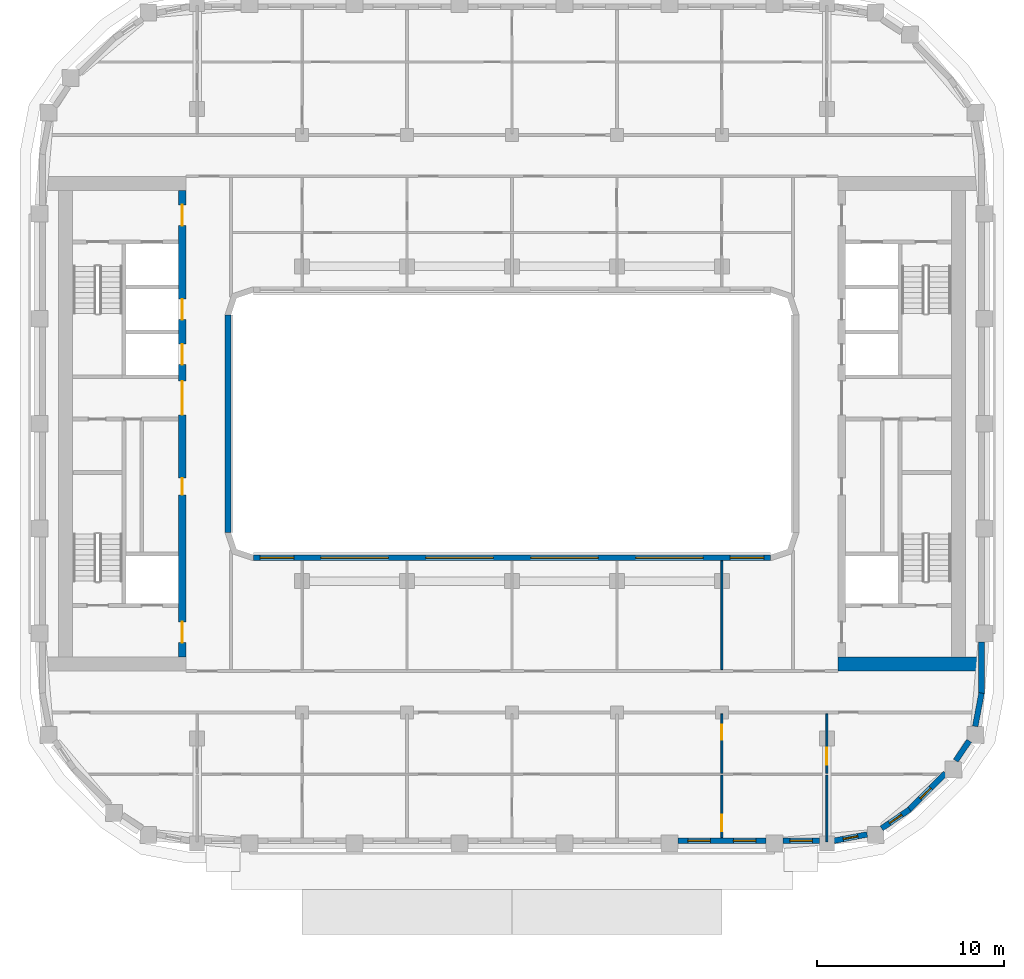
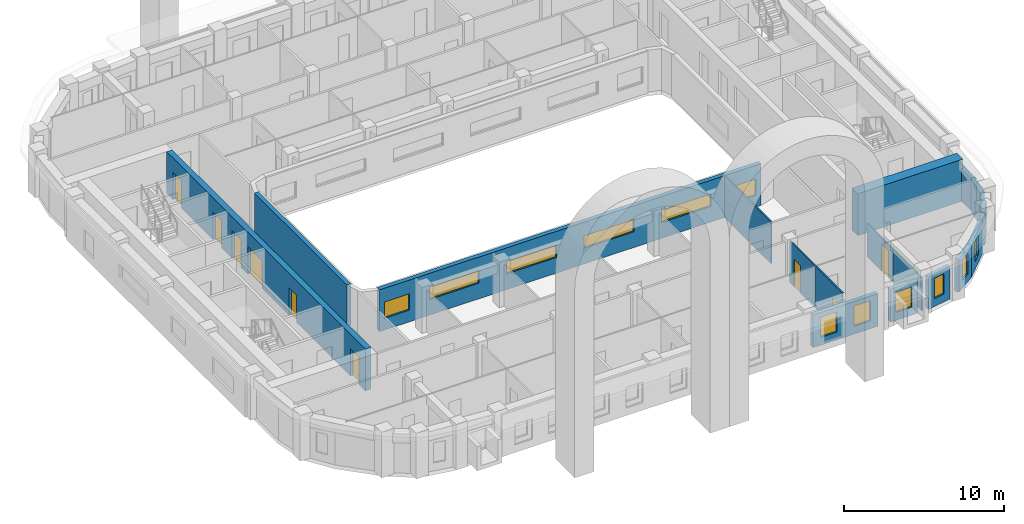
# One storey, part 4 of 18: 17 walls, 12 windows, 9 doors, 21 openings.
"""IFC4 building model written with IfcOpenShell, lengths in metres."""

from ifc_helpers import new_model, si_unit, direction, frame, frame_2d, origin, place, context, subcontext, project, spatial, rectangle, extrude, material, layer, layer_set, type_object, element, fill, save


model = new_model("IFC4")

# Units and contexts
model_context = context("Model", 3, precision=1e-05, world=origin(), true_north=direction((0.0, 1.0)))
body_context = subcontext(model_context, "Body", "Model", "MODEL_VIEW")
ifc_project = project(units=[si_unit("LENGTHUNIT", "METRE"), si_unit("AREAUNIT", "SQUARE_METRE"), si_unit("VOLUMEUNIT", "CUBIC_METRE"), si_unit("PLANEANGLEUNIT", "RADIAN"), si_unit("MASSUNIT", "GRAM", prefix="KILO")], contexts=[model_context])

# Site, building, storey
site_placement = place(None, origin())
site = spatial("IfcSite", under=ifc_project, at=site_placement, CompositionType="ELEMENT")
building_placement = place(site_placement, origin())
building = spatial("IfcBuilding", under=site, at=building_placement, Name="Kiln Ring Residences", CompositionType="ELEMENT")
storey_placement = place(building_placement, frame((0.0, 0.0, 209.89990234375)))
storey = spatial("IfcBuildingStorey", under=building, at=storey_placement, Name="L54", CompositionType="ELEMENT", Elevation=209.89990234375)

# Wall, openings, doors
ifc_material_1 = material(Name="Concrete C60/75", Category="concrete")
ifc_layer_1 = layer(ifc_material_1, 0.39990234375)
ifc_layer_set_1 = layer_set([ifc_layer_1], Name="CORE-WALL-RC400")
wall_type_1 = type_object("IfcWallType", Name="CORE-WALL-RC400", PredefinedType="SHEAR", material=ifc_layer_set_1)
wall_1_placement = place(storey_placement, frame((-17.60009765625, -12.449951171875, 0.0), z_axis=(0.0, 0.0, 1.0), x_axis=(0.0, 1.0, 0.0)))
wall_1 = element("IfcWall", 1, at=wall_1_placement, inside=storey, type_object=wall_type_1, Name="Core wall west L54 6", PredefinedType="SHEAR", context=body_context, shape_type="SweptSolid", body=[
    extrude(rectangle(XDim=24.89990234375, YDim=0.39990234375, at=frame_2d((12.449951171875, 0.0))), origin(), (0.0, 0.0, 1.0), 3.2001953125),
])
opening_1_placement = place(wall_1_placement, frame((8.64990234375, 0.0, 0.0)))
opening_1 = element("IfcOpeningElement", 2, at=opening_1_placement, cuts=wall_1, Name="Opening L54-CW02", PredefinedType="OPENING", context=body_context, shape_type="SweptSolid", body=[
    extrude(rectangle(XDim=0.89990234375, YDim=2.10009765625, at=frame_2d((0.449951171875, 1.050048828125))), frame((0.0, 0.2099609375, 0.0), z_axis=(0.0, -1.0, 0.0), x_axis=(1.0, 0.0, 0.0)), (0.0, 0.0, 1.0), 0.419921875),
])
opening_2_placement = place(wall_1_placement, frame((15.60009765625, 0.0, 0.0)))
opening_2 = element("IfcOpeningElement", 3, at=opening_2_placement, cuts=wall_1, Name="Opening L54-CW04", PredefinedType="OPENING", context=body_context, shape_type="SweptSolid", body=[
    extrude(rectangle(XDim=1.10009765625, YDim=2.10009765625, at=frame_2d((0.550048828125, 1.050048828125))), frame((0.0, 0.2099609375, 0.0), z_axis=(0.0, -1.0, 0.0), x_axis=(1.0, 0.0, 0.0)), (0.0, 0.0, 1.0), 0.419921875),
])
opening_3_placement = place(wall_1_placement, frame((18.0, 0.0, 0.0)))
opening_3 = element("IfcOpeningElement", 4, at=opening_3_placement, cuts=wall_1, Name="Opening L54-CW05", PredefinedType="OPENING", context=body_context, shape_type="SweptSolid", body=[
    extrude(rectangle(XDim=1.10009765625, YDim=2.10009765625, at=frame_2d((0.550048828125, 1.050048828125))), frame((0.0, 0.2099609375, 0.0), z_axis=(0.0, -1.0, 0.0), x_axis=(1.0, 0.0, 0.0)), (0.0, 0.0, 1.0), 0.419921875),
])
opening_4_placement = place(wall_1_placement, frame((23.02490234375, 0.0, 0.0)))
opening_4 = element("IfcOpeningElement", 5, at=opening_4_placement, cuts=wall_1, Name="Opening L54-CW07", PredefinedType="OPENING", context=body_context, shape_type="SweptSolid", body=[
    extrude(rectangle(XDim=1.10009765625, YDim=2.10009765625, at=frame_2d((0.550048828125, 1.050048828125))), frame((0.0, 0.2099609375, 0.0), z_axis=(0.0, -1.0, 0.0), x_axis=(1.0, 0.0, 0.0)), (0.0, 0.0, 1.0), 0.419921875),
])
opening_5_placement = place(wall_1_placement, frame((0.77490234375, 0.0, 0.0)))
opening_5 = element("IfcOpeningElement", 6, at=opening_5_placement, cuts=wall_1, Name="Opening L54-CW08", PredefinedType="OPENING", context=body_context, shape_type="SweptSolid", body=[
    extrude(rectangle(XDim=1.10009765625, YDim=2.10009765625, at=frame_2d((0.550048828125, 1.050048828125))), frame((0.0, 0.2099609375, 0.0), z_axis=(0.0, -1.0, 0.0), x_axis=(1.0, 0.0, 0.0)), (0.0, 0.0, 1.0), 0.419921875),
])
opening_6_placement = place(wall_1_placement, frame((12.925048828125, 0.0, 0.0)))
opening_6 = element("IfcOpeningElement", 7, at=opening_6_placement, cuts=wall_1, Name="Opening L54-CW11", PredefinedType="OPENING", context=body_context, shape_type="SweptSolid", body=[
    extrude(rectangle(XDim=1.800048828125, YDim=2.10009765625, at=frame_2d((0.89990234375, 1.050048828125))), frame((0.0, 0.2099609375, 0.0), z_axis=(0.0, -1.0, 0.0), x_axis=(1.0, 0.0, 0.0)), (0.0, 0.0, 1.0), 0.419921875),
])
ifc_material_2 = material(Name="Steel door leaf", Category="steel")
door_type_1 = type_object("IfcDoorType", Name="CORE-DOOR-LD", OperationType="DOUBLE_DOOR_SLIDING", PredefinedType="DOOR", material=ifc_material_2)
door_1_placement = place(opening_2_placement, origin())
door_1 = element("IfcDoor", 8, at=door_1_placement, inside=storey, type_object=door_type_1, Name="LD W-M1 L54-CW04", OperationType="DOUBLE_DOOR_SLIDING", OverallHeight=2.10009765625, OverallWidth=1.10009765625, PredefinedType="DOOR", context=body_context, shape_type="SweptSolid", body=[
    extrude(rectangle(XDim=1.10009765625, YDim=2.10009765625, at=frame_2d((0.550048828125, 1.050048828125))), frame((0.0, 0.02490234375, 0.0), z_axis=(0.0, -1.0, 0.0), x_axis=(1.0, 0.0, 0.0)), (0.0, 0.0, 1.0), 0.050048828125),
])
fill(opening_2, door_1)
door_2_placement = place(opening_3_placement, origin())
door_2 = element("IfcDoor", 9, at=door_2_placement, inside=storey, type_object=door_type_1, Name="LD W-M2 L54-CW05", OperationType="DOUBLE_DOOR_SLIDING", OverallHeight=2.10009765625, OverallWidth=1.10009765625, PredefinedType="DOOR", context=body_context, shape_type="SweptSolid", body=[
    extrude(rectangle(XDim=1.10009765625, YDim=2.10009765625, at=frame_2d((0.550048828125, 1.050048828125))), frame((0.0, 0.02490234375, 0.0), z_axis=(0.0, -1.0, 0.0), x_axis=(1.0, 0.0, 0.0)), (0.0, 0.0, 1.0), 0.050048828125),
])
fill(opening_3, door_2)
ifc_material_3 = material(Name="Steel door leaf", Category="steel")
door_type_2 = type_object("IfcDoorType", Name="CORE-DOOR-LOBBY", OperationType="SINGLE_SWING_LEFT", PredefinedType="DOOR", material=ifc_material_3)
door_3_placement = place(opening_4_placement, origin())
door_3 = element("IfcDoor", 10, at=door_3_placement, inside=storey, type_object=door_type_2, Name="FFL L54-CW07", OperationType="SINGLE_SWING_RIGHT", OverallHeight=2.10009765625, OverallWidth=1.10009765625, PredefinedType="DOOR", context=body_context, shape_type="SweptSolid", body=[
    extrude(rectangle(XDim=1.10009765625, YDim=2.10009765625, at=frame_2d((0.550048828125, 1.050048828125))), frame((0.0, 0.02490234375, 0.0), z_axis=(0.0, -1.0, 0.0), x_axis=(1.0, 0.0, 0.0)), (0.0, 0.0, 1.0), 0.050048828125),
])
fill(opening_4, door_3)
door_4_placement = place(opening_5_placement, origin())
door_4 = element("IfcDoor", 11, at=door_4_placement, inside=storey, type_object=door_type_2, Name="SVL L54-CW08", OperationType="SINGLE_SWING_LEFT", OverallHeight=2.10009765625, OverallWidth=1.10009765625, PredefinedType="DOOR", context=body_context, shape_type="SweptSolid", body=[
    extrude(rectangle(XDim=1.10009765625, YDim=2.10009765625, at=frame_2d((0.550048828125, 1.050048828125))), frame((0.0, 0.02490234375, 0.0), z_axis=(0.0, -1.0, 0.0), x_axis=(1.0, 0.0, 0.0)), (0.0, 0.0, 1.0), 0.050048828125),
])
fill(opening_5, door_4)
ifc_material_4 = material(Name="Steel door leaf", Category="steel")
door_type_3 = type_object("IfcDoorType", Name="CORE-DOOR-PASS", OperationType="DOUBLE_DOOR_SINGLE_SWING", PredefinedType="DOOR", material=ifc_material_4)
door_5_placement = place(opening_6_placement, origin())
door_5 = element("IfcDoor", 12, at=door_5_placement, inside=storey, type_object=door_type_3, Name="Core passage L54-CW11", OperationType="DOUBLE_DOOR_SINGLE_SWING", OverallHeight=2.10009765625, OverallWidth=1.800048828125, PredefinedType="DOOR", context=body_context, shape_type="SweptSolid", body=[
    extrude(rectangle(XDim=1.800048828125, YDim=2.10009765625, at=frame_2d((0.89990234375, 1.050048828125))), frame((0.0, 0.02490234375, 0.0), z_axis=(0.0, -1.0, 0.0), x_axis=(1.0, 0.0, 0.0)), (0.0, 0.0, 1.0), 0.050048828125),
])
fill(opening_6, door_5)
ifc_material_5 = material(Name="Steel door leaf", Category="steel")
door_type_4 = type_object("IfcDoorType", Name="CORE-DOOR-ROOM", OperationType="SINGLE_SWING_LEFT", PredefinedType="DOOR", material=ifc_material_5)
door_6_placement = place(opening_1_placement, origin())
door_6 = element("IfcDoor", 13, at=door_6_placement, inside=storey, type_object=door_type_4, Name="Janitor's store L54-CW02", OperationType="SINGLE_SWING_RIGHT", OverallHeight=2.10009765625, OverallWidth=0.89990234375, PredefinedType="DOOR", context=body_context, shape_type="SweptSolid", body=[
    extrude(rectangle(XDim=0.89990234375, YDim=2.10009765625, at=frame_2d((0.449951171875, 1.050048828125))), frame((0.0, 0.02490234375, 0.0), z_axis=(0.0, -1.0, 0.0), x_axis=(1.0, 0.0, 0.0)), (0.0, 0.0, 1.0), 0.050048828125),
])
fill(opening_1, door_6)

# Wall
ifc_material_6 = material(Name="Concrete C60/75", Category="concrete")
ifc_layer_2 = layer(ifc_material_6, 0.75)
ifc_layer_set_2 = layer_set([ifc_layer_2], Name="CORE-WALL-RC750")
wall_type_2 = type_object("IfcWallType", Name="CORE-WALL-RC750", PredefinedType="SHEAR", material=ifc_layer_set_2)
wall_2_placement = place(storey_placement, frame((17.39990234375, -12.824951171875, 0.0), z_axis=(0.0, 0.0, 1.0), x_axis=(1.0, 0.0, 0.0)))
element("IfcWall", 14, at=wall_2_placement, inside=storey, type_object=wall_type_2, Name="Core wall east L54 5", PredefinedType="SHEAR", context=body_context, shape_type="SweptSolid", body=[
    extrude(rectangle(XDim=7.60009765625, YDim=0.75, at=frame_2d((3.800048828125, 0.0))), origin(), (0.0, 0.0, 1.0), 3.2001953125),
])

# Wall, openings, windows
ifc_material_7 = material(Name="Brick masonry, dark clay brick", Category="masonry")
ifc_layer_3 = layer(ifc_material_7, 0.300048828125)
ifc_layer_set_3 = layer_set([ifc_layer_3], Name="EW-300 BRICK WALL")
wall_type_3 = type_object("IfcWallType", Name="EW-300 BRICK WALL", PredefinedType="SOLIDWALL", material=ifc_layer_set_3)
wall_3_placement = place(storey_placement, frame((8.85009765625, -22.25, 0.0), z_axis=(0.0, 0.0, 1.0), x_axis=(1.0, 0.0, 0.0)))
wall_3 = element("IfcWall", 15, at=wall_3_placement, inside=storey, type_object=wall_type_3, Name="Facade wall L54 9", PredefinedType="SOLIDWALL", context=body_context, shape_type="SweptSolid", body=[
    extrude(rectangle(XDim=4.699951171875, YDim=0.300048828125, at=frame_2d((2.35009765625, 0.0))), origin(), (0.0, 0.0, 1.0), 2.5),
])
opening_7_placement = place(wall_3_placement, frame((0.53759765625, 0.0, 0.60009765625)))
opening_7 = element("IfcOpeningElement", 16, at=opening_7_placement, cuts=wall_3, Name="Opening W1", PredefinedType="OPENING", context=body_context, shape_type="SweptSolid", body=[
    extrude(rectangle(XDim=1.199951171875, YDim=1.550048828125, at=frame_2d((0.60009765625, 0.77490234375))), frame((0.0, 0.159912109375, 0.0), z_axis=(0.0, -1.0, 0.0), x_axis=(1.0, 0.0, 0.0)), (0.0, 0.0, 1.0), 0.320068359375),
])
opening_8_placement = place(wall_3_placement, frame((2.96240234375, 0.0, 0.60009765625)))
opening_8 = element("IfcOpeningElement", 17, at=opening_8_placement, cuts=wall_3, Name="Opening W1", PredefinedType="OPENING", context=body_context, shape_type="SweptSolid", body=[
    extrude(rectangle(XDim=1.199951171875, YDim=1.550048828125, at=frame_2d((0.60009765625, 0.77490234375))), frame((0.0, 0.159912109375, 0.0), z_axis=(0.0, -1.0, 0.0), x_axis=(1.0, 0.0, 0.0)), (0.0, 0.0, 1.0), 0.320068359375),
])
ifc_material_8 = material(Name="Aluminium frame with double glazing", Category="aluminium")
window_type_1 = type_object("IfcWindowType", Name="WINDOW 1200 x 1550", PartitioningType="SINGLE_PANEL", PredefinedType="WINDOW", material=ifc_material_8)
window_1_placement = place(opening_7_placement, origin())
window_1 = element("IfcWindow", 18, at=window_1_placement, inside=storey, type_object=window_type_1, Name="Window L54 11", OverallHeight=1.550048828125, OverallWidth=1.199951171875, PartitioningType="SINGLE_PANEL", PredefinedType="WINDOW", context=body_context, shape_type="SweptSolid", body=[
    extrude(rectangle(XDim=1.199951171875, YDim=1.550048828125, at=frame_2d((0.60009765625, 0.77490234375))), frame((0.0, 0.030029296875, 0.0), z_axis=(0.0, -1.0, 0.0), x_axis=(1.0, 0.0, 0.0)), (0.0, 0.0, 1.0), 0.06005859375),
])
fill(opening_7, window_1)
window_2_placement = place(opening_8_placement, origin())
window_2 = element("IfcWindow", 19, at=window_2_placement, inside=storey, type_object=window_type_1, Name="Window L54 12", OverallHeight=1.550048828125, OverallWidth=1.199951171875, PartitioningType="SINGLE_PANEL", PredefinedType="WINDOW", context=body_context, shape_type="SweptSolid", body=[
    extrude(rectangle(XDim=1.199951171875, YDim=1.550048828125, at=frame_2d((0.60009765625, 0.77490234375))), frame((0.0, 0.030029296875, 0.0), z_axis=(0.0, -1.0, 0.0), x_axis=(1.0, 0.0, 0.0)), (0.0, 0.0, 1.0), 0.06005859375),
])
fill(opening_8, window_2)

# Wall, opening, window
wall_4_placement = place(storey_placement, frame((14.449951171875, -22.25, 0.0), z_axis=(0.0, 0.0, 1.0), x_axis=(1.0, 0.0, 0.0)))
wall_4 = element("IfcWall", 20, at=wall_4_placement, inside=storey, type_object=wall_type_3, Name="Facade wall L54 10", PredefinedType="SOLIDWALL", context=body_context, shape_type="SweptSolid", body=[
    extrude(rectangle(XDim=1.949951171875, YDim=0.300048828125, at=frame_2d((0.97509765625, 0.0))), origin(), (0.0, 0.0, 1.0), 2.5),
])
opening_9_placement = place(wall_4_placement, frame((0.375, 0.0, 0.60009765625)))
opening_9 = element("IfcOpeningElement", 21, at=opening_9_placement, cuts=wall_4, Name="Opening W1", PredefinedType="OPENING", context=body_context, shape_type="SweptSolid", body=[
    extrude(rectangle(XDim=1.199951171875, YDim=1.550048828125, at=frame_2d((0.60009765625, 0.77490234375))), frame((0.0, 0.159912109375, 0.0), z_axis=(0.0, -1.0, 0.0), x_axis=(1.0, 0.0, 0.0)), (0.0, 0.0, 1.0), 0.320068359375),
])
window_3_placement = place(opening_9_placement, origin())
window_3 = element("IfcWindow", 22, at=window_3_placement, inside=storey, type_object=window_type_1, Name="Window L54 13", OverallHeight=1.550048828125, OverallWidth=1.199951171875, PartitioningType="SINGLE_PANEL", PredefinedType="WINDOW", context=body_context, shape_type="SweptSolid", body=[
    extrude(rectangle(XDim=1.199951171875, YDim=1.550048828125, at=frame_2d((0.60009765625, 0.77490234375))), frame((0.0, 0.030029296875, 0.0), z_axis=(0.0, -1.0, 0.0), x_axis=(1.0, 0.0, 0.0)), (0.0, 0.0, 1.0), 0.06005859375),
])
fill(opening_9, window_3)

wall_5_placement = place(storey_placement, frame((17.178955078125, -22.251220703125, 0.0), z_axis=(0.0, 0.0, 1.0), x_axis=(0.98230529033, 0.187286722942, 0.0)))
wall_5 = element("IfcWall", 23, at=wall_5_placement, inside=storey, type_object=wall_type_3, Name="Facade wall L54 11", PredefinedType="SOLIDWALL", context=body_context, shape_type="SweptSolid", body=[
    extrude(rectangle(XDim=1.798828125, YDim=0.300048828125, at=frame_2d((0.8994140625, 0.0))), origin(), (0.0, 0.0, 1.0), 2.5),
])
opening_10_placement = place(wall_5_placement, frame((0.49951171875, 0.0, 0.60009765625)))
opening_10 = element("IfcOpeningElement", 24, at=opening_10_placement, cuts=wall_5, Name="Opening W5", PredefinedType="OPENING", context=body_context, shape_type="SweptSolid", body=[
    extrude(rectangle(XDim=0.800048828125, YDim=1.550048828125, at=frame_2d((0.39990234375, 0.77490234375))), frame((0.0, 0.159912109375, 0.0), z_axis=(0.0, -1.0, 0.0), x_axis=(1.0, 0.0, 0.0)), (0.0, 0.0, 1.0), 0.320068359375),
])
ifc_material_9 = material(Name="Aluminium frame with double glazing", Category="aluminium")
window_type_2 = type_object("IfcWindowType", Name="WINDOW 800 x 1550", PartitioningType="SINGLE_PANEL", PredefinedType="WINDOW", material=ifc_material_9)
window_4_placement = place(opening_10_placement, origin())
window_4 = element("IfcWindow", 25, at=window_4_placement, inside=storey, type_object=window_type_2, Name="Window L54 14", OverallHeight=1.550048828125, OverallWidth=0.800048828125, PartitioningType="SINGLE_PANEL", PredefinedType="WINDOW", context=body_context, shape_type="SweptSolid", body=[
    extrude(rectangle(XDim=0.800048828125, YDim=1.550048828125, at=frame_2d((0.39990234375, 0.77490234375))), frame((0.0, 0.030029296875, 0.0), z_axis=(0.0, -1.0, 0.0), x_axis=(1.0, 0.0, 0.0)), (0.0, 0.0, 1.0), 0.06005859375),
])
fill(opening_10, window_4)

wall_6_placement = place(storey_placement, frame((19.718994140625, -21.593994140625, 0.0), z_axis=(0.0, 0.0, 1.0), x_axis=(0.827067282455, 0.562102935673, 0.0)))
wall_6 = element("IfcWall", 26, at=wall_6_placement, inside=storey, type_object=wall_type_3, Name="Facade wall L54 12", PredefinedType="SOLIDWALL", context=body_context, shape_type="SweptSolid", body=[
    extrude(rectangle(XDim=1.805908203125, YDim=0.300048828125, at=frame_2d((0.90283203125, 0.0))), origin(), (0.0, 0.0, 1.0), 2.5),
])
opening_11_placement = place(wall_6_placement, frame((0.5029296875, 0.0, 0.60009765625)))
opening_11 = element("IfcOpeningElement", 27, at=opening_11_placement, cuts=wall_6, Name="Opening W5", PredefinedType="OPENING", context=body_context, shape_type="SweptSolid", body=[
    extrude(rectangle(XDim=0.800048828125, YDim=1.550048828125, at=frame_2d((0.39990234375, 0.77490234375))), frame((0.0, 0.159912109375, 0.0), z_axis=(0.0, -1.0, 0.0), x_axis=(1.0, 0.0, 0.0)), (0.0, 0.0, 1.0), 0.320068359375),
])
window_5_placement = place(opening_11_placement, origin())
window_5 = element("IfcWindow", 28, at=window_5_placement, inside=storey, type_object=window_type_2, Name="Window L54 15", OverallHeight=1.550048828125, OverallWidth=0.800048828125, PartitioningType="SINGLE_PANEL", PredefinedType="WINDOW", context=body_context, shape_type="SweptSolid", body=[
    extrude(rectangle(XDim=0.800048828125, YDim=1.550048828125, at=frame_2d((0.39990234375, 0.77490234375))), frame((0.0, 0.030029296875, 0.0), z_axis=(0.0, -1.0, 0.0), x_axis=(1.0, 0.0, 0.0)), (0.0, 0.0, 1.0), 0.06005859375),
])
fill(opening_11, window_5)

wall_7_placement = place(storey_placement, frame((21.19091796875, -20.596923828125, 0.0), z_axis=(0.0, 0.0, 1.0), x_axis=(0.707106781187, 0.707106781187, 0.0)))
wall_7 = element("IfcWall", 29, at=wall_7_placement, inside=storey, type_object=wall_type_3, Name="Facade wall L54 13", PredefinedType="SOLIDWALL", context=body_context, shape_type="SweptSolid", body=[
    extrude(rectangle(XDim=2.75, YDim=0.300048828125, at=frame_2d((1.375, 0.0))), origin(), (0.0, 0.0, 1.0), 2.5),
])
opening_12_placement = place(wall_7_placement, frame((0.83837890625, 0.0, 0.60009765625)))
opening_12 = element("IfcOpeningElement", 30, at=opening_12_placement, cuts=wall_7, Name="Opening W5", PredefinedType="OPENING", context=body_context, shape_type="SweptSolid", body=[
    extrude(rectangle(XDim=0.800048828125, YDim=1.550048828125, at=frame_2d((0.39990234375, 0.77490234375))), frame((0.0, 0.159912109375, 0.0), z_axis=(0.0, -1.0, 0.0), x_axis=(1.0, 0.0, 0.0)), (0.0, 0.0, 1.0), 0.320068359375),
])
window_6_placement = place(opening_12_placement, origin())
window_6 = element("IfcWindow", 31, at=window_6_placement, inside=storey, type_object=window_type_2, Name="Window L54 16", OverallHeight=1.550048828125, OverallWidth=0.800048828125, PartitioningType="SINGLE_PANEL", PredefinedType="WINDOW", context=body_context, shape_type="SweptSolid", body=[
    extrude(rectangle(XDim=0.800048828125, YDim=1.550048828125, at=frame_2d((0.39990234375, 0.77490234375))), frame((0.0, 0.030029296875, 0.0), z_axis=(0.0, -1.0, 0.0), x_axis=(1.0, 0.0, 0.0)), (0.0, 0.0, 1.0), 0.06005859375),
])
fill(opening_12, window_6)

# Walls
wall_8_placement = place(storey_placement, frame((23.67626953125, -17.975341796875, 0.0), z_axis=(0.0, 0.0, 1.0), x_axis=(0.56200149592, 0.827136215253, 0.0)))
element("IfcWall", 32, at=wall_8_placement, inside=storey, type_object=wall_type_3, Name="Facade wall L54 14", PredefinedType="SOLIDWALL", context=body_context, shape_type="SweptSolid", body=[
    extrude(rectangle(XDim=1.277099609375, YDim=0.300048828125, at=frame_2d((0.638671875, 0.0))), origin(), (0.0, 0.0, 1.0), 2.5),
])
wall_9_placement = place(storey_placement, frame((24.71435546875, -16.14599609375, 0.0), z_axis=(0.0, 0.0, 1.0), x_axis=(0.187348135549, 0.982293579388, 0.0)))
element("IfcWall", 33, at=wall_9_placement, inside=storey, type_object=wall_type_3, Name="Facade wall L54 15", PredefinedType="SOLIDWALL", context=body_context, shape_type="SweptSolid", body=[
    extrude(rectangle(XDim=1.80615234375, YDim=0.300048828125, at=frame_2d((0.903076171875, 0.0))), origin(), (0.0, 0.0, 1.0), 2.5),
])
wall_10_placement = place(storey_placement, frame((25.050048828125, -14.39990234375, 0.0), z_axis=(0.0, 0.0, 1.0), x_axis=(0.0, 1.0, 0.0)))
element("IfcWall", 34, at=wall_10_placement, inside=storey, type_object=wall_type_3, Name="Facade wall L54 16", PredefinedType="SOLIDWALL", context=body_context, shape_type="SweptSolid", body=[
    extrude(rectangle(XDim=2.75, YDim=0.300048828125, at=frame_2d((1.375, 0.0))), origin(), (0.0, 0.0, 1.0), 2.5),
])
wall_11_placement = place(storey_placement, frame((-15.14990234375, -5.800048828125, 0.0), z_axis=(0.0, 0.0, 1.0), x_axis=(0.0, 1.0, 0.0)))
element("IfcWall", 35, at=wall_11_placement, inside=storey, type_object=wall_type_3, Name="Facade wall L54 47", PredefinedType="SOLIDWALL", context=body_context, shape_type="SweptSolid", body=[
    extrude(rectangle(XDim=11.60009765625, YDim=0.300048828125, at=frame_2d((5.800048828125, 0.0))), origin(), (0.0, 0.0, 1.0), 3.2001953125),
])

# Wall, openings, windows
wall_12_placement = place(storey_placement, frame((13.800048828125, -7.14990234375, 0.0), z_axis=(0.0, 0.0, 1.0), x_axis=(-1.0, 0.0, 0.0)))
wall_12 = element("IfcWall", 36, at=wall_12_placement, inside=storey, type_object=wall_type_3, Name="Facade wall L54 50", PredefinedType="SOLIDWALL", context=body_context, shape_type="SweptSolid", body=[
    extrude(rectangle(XDim=27.60009765625, YDim=0.300048828125, at=frame_2d((13.800048828125, 0.0))), origin(), (0.0, 0.0, 1.0), 3.2001953125),
])
opening_13_placement = place(wall_12_placement, frame((0.362548828125, 0.0, 0.89990234375)))
opening_13 = element("IfcOpeningElement", 37, at=opening_13_placement, cuts=wall_12, Name="Opening W2", PredefinedType="OPENING", context=body_context, shape_type="SweptSolid", body=[
    extrude(rectangle(XDim=1.800048828125, YDim=1.25, at=frame_2d((0.89990234375, 0.625))), frame((0.0, 0.159912109375, 0.0), z_axis=(0.0, -1.0, 0.0), x_axis=(1.0, 0.0, 0.0)), (0.0, 0.0, 1.0), 0.320068359375),
])
opening_14_placement = place(wall_12_placement, frame((3.60009765625, 0.0, 1.199951171875)))
opening_14 = element("IfcOpeningElement", 38, at=opening_14_placement, cuts=wall_12, Name="Opening W4", PredefinedType="OPENING", context=body_context, shape_type="SweptSolid", body=[
    extrude(rectangle(XDim=3.60009765625, YDim=0.949951171875, at=frame_2d((1.800048828125, 0.47509765625))), frame((0.0, 0.159912109375, 0.0), z_axis=(0.0, -1.0, 0.0), x_axis=(1.0, 0.0, 0.0)), (0.0, 0.0, 1.0), 0.320068359375),
])
opening_15_placement = place(wall_12_placement, frame((9.199951171875, 0.0, 1.199951171875)))
opening_15 = element("IfcOpeningElement", 39, at=opening_15_placement, cuts=wall_12, Name="Opening W4", PredefinedType="OPENING", context=body_context, shape_type="SweptSolid", body=[
    extrude(rectangle(XDim=3.60009765625, YDim=0.949951171875, at=frame_2d((1.800048828125, 0.47509765625))), frame((0.0, 0.159912109375, 0.0), z_axis=(0.0, -1.0, 0.0), x_axis=(1.0, 0.0, 0.0)), (0.0, 0.0, 1.0), 0.320068359375),
])
opening_16_placement = place(wall_12_placement, frame((14.800048828125, 0.0, 1.199951171875)))
opening_16 = element("IfcOpeningElement", 40, at=opening_16_placement, cuts=wall_12, Name="Opening W4", PredefinedType="OPENING", context=body_context, shape_type="SweptSolid", body=[
    extrude(rectangle(XDim=3.60009765625, YDim=0.949951171875, at=frame_2d((1.800048828125, 0.47509765625))), frame((0.0, 0.159912109375, 0.0), z_axis=(0.0, -1.0, 0.0), x_axis=(1.0, 0.0, 0.0)), (0.0, 0.0, 1.0), 0.320068359375),
])
opening_17_placement = place(wall_12_placement, frame((20.39990234375, 0.0, 1.199951171875)))
opening_17 = element("IfcOpeningElement", 41, at=opening_17_placement, cuts=wall_12, Name="Opening W4", PredefinedType="OPENING", context=body_context, shape_type="SweptSolid", body=[
    extrude(rectangle(XDim=3.60009765625, YDim=0.949951171875, at=frame_2d((1.800048828125, 0.47509765625))), frame((0.0, 0.159912109375, 0.0), z_axis=(0.0, -1.0, 0.0), x_axis=(1.0, 0.0, 0.0)), (0.0, 0.0, 1.0), 0.320068359375),
])
opening_18_placement = place(wall_12_placement, frame((25.4375, 0.0, 0.89990234375)))
opening_18 = element("IfcOpeningElement", 42, at=opening_18_placement, cuts=wall_12, Name="Opening W2", PredefinedType="OPENING", context=body_context, shape_type="SweptSolid", body=[
    extrude(rectangle(XDim=1.800048828125, YDim=1.25, at=frame_2d((0.89990234375, 0.625))), frame((0.0, 0.159912109375, 0.0), z_axis=(0.0, -1.0, 0.0), x_axis=(1.0, 0.0, 0.0)), (0.0, 0.0, 1.0), 0.320068359375),
])
ifc_material_10 = material(Name="Aluminium frame with double glazing", Category="aluminium")
window_type_3 = type_object("IfcWindowType", Name="WINDOW 1800 x 1250", PartitioningType="SINGLE_PANEL", PredefinedType="WINDOW", material=ifc_material_10)
window_7_placement = place(opening_13_placement, origin())
window_7 = element("IfcWindow", 43, at=window_7_placement, inside=storey, type_object=window_type_3, Name="Window L54 40", OverallHeight=1.25, OverallWidth=1.800048828125, PartitioningType="SINGLE_PANEL", PredefinedType="WINDOW", context=body_context, shape_type="SweptSolid", body=[
    extrude(rectangle(XDim=1.800048828125, YDim=1.25, at=frame_2d((0.89990234375, 0.625))), frame((0.0, 0.030029296875, 0.0), z_axis=(0.0, -1.0, 0.0), x_axis=(1.0, 0.0, 0.0)), (0.0, 0.0, 1.0), 0.06005859375),
])
fill(opening_13, window_7)
window_8_placement = place(opening_18_placement, origin())
window_8 = element("IfcWindow", 44, at=window_8_placement, inside=storey, type_object=window_type_3, Name="Window L54 45", OverallHeight=1.25, OverallWidth=1.800048828125, PartitioningType="SINGLE_PANEL", PredefinedType="WINDOW", context=body_context, shape_type="SweptSolid", body=[
    extrude(rectangle(XDim=1.800048828125, YDim=1.25, at=frame_2d((0.89990234375, 0.625))), frame((0.0, 0.030029296875, 0.0), z_axis=(0.0, -1.0, 0.0), x_axis=(1.0, 0.0, 0.0)), (0.0, 0.0, 1.0), 0.06005859375),
])
fill(opening_18, window_8)
ifc_material_11 = material(Name="Aluminium frame with double glazing", Category="aluminium")
window_type_4 = type_object("IfcWindowType", Name="WINDOW 3600 x 950", PartitioningType="SINGLE_PANEL", PredefinedType="WINDOW", material=ifc_material_11)
window_9_placement = place(opening_14_placement, origin())
window_9 = element("IfcWindow", 45, at=window_9_placement, inside=storey, type_object=window_type_4, Name="Window L54 41", OverallHeight=0.949951171875, OverallWidth=3.60009765625, PartitioningType="SINGLE_PANEL", PredefinedType="WINDOW", context=body_context, shape_type="SweptSolid", body=[
    extrude(rectangle(XDim=3.60009765625, YDim=0.949951171875, at=frame_2d((1.800048828125, 0.47509765625))), frame((0.0, 0.030029296875, 0.0), z_axis=(0.0, -1.0, 0.0), x_axis=(1.0, 0.0, 0.0)), (0.0, 0.0, 1.0), 0.06005859375),
])
fill(opening_14, window_9)
window_10_placement = place(opening_15_placement, origin())
window_10 = element("IfcWindow", 46, at=window_10_placement, inside=storey, type_object=window_type_4, Name="Window L54 42", OverallHeight=0.949951171875, OverallWidth=3.60009765625, PartitioningType="SINGLE_PANEL", PredefinedType="WINDOW", context=body_context, shape_type="SweptSolid", body=[
    extrude(rectangle(XDim=3.60009765625, YDim=0.949951171875, at=frame_2d((1.800048828125, 0.47509765625))), frame((0.0, 0.030029296875, 0.0), z_axis=(0.0, -1.0, 0.0), x_axis=(1.0, 0.0, 0.0)), (0.0, 0.0, 1.0), 0.06005859375),
])
fill(opening_15, window_10)
window_11_placement = place(opening_16_placement, origin())
window_11 = element("IfcWindow", 47, at=window_11_placement, inside=storey, type_object=window_type_4, Name="Window L54 43", OverallHeight=0.949951171875, OverallWidth=3.60009765625, PartitioningType="SINGLE_PANEL", PredefinedType="WINDOW", context=body_context, shape_type="SweptSolid", body=[
    extrude(rectangle(XDim=3.60009765625, YDim=0.949951171875, at=frame_2d((1.800048828125, 0.47509765625))), frame((0.0, 0.030029296875, 0.0), z_axis=(0.0, -1.0, 0.0), x_axis=(1.0, 0.0, 0.0)), (0.0, 0.0, 1.0), 0.06005859375),
])
fill(opening_16, window_11)
window_12_placement = place(opening_17_placement, origin())
window_12 = element("IfcWindow", 48, at=window_12_placement, inside=storey, type_object=window_type_4, Name="Window L54 44", OverallHeight=0.949951171875, OverallWidth=3.60009765625, PartitioningType="SINGLE_PANEL", PredefinedType="WINDOW", context=body_context, shape_type="SweptSolid", body=[
    extrude(rectangle(XDim=3.60009765625, YDim=0.949951171875, at=frame_2d((1.800048828125, 0.47509765625))), frame((0.0, 0.030029296875, 0.0), z_axis=(0.0, -1.0, 0.0), x_axis=(1.0, 0.0, 0.0)), (0.0, 0.0, 1.0), 0.06005859375),
])
fill(opening_17, window_12)

# Wall, opening, door
ifc_material_12 = material(Name="Gypsum board on steel studs", Category="steel")
ifc_layer_4 = layer(ifc_material_12, 0.10009765625)
ifc_layer_set_4 = layer_set([ifc_layer_4], Name="PARTITION-100")
wall_type_4 = type_object("IfcWallType", Name="PARTITION-100", PredefinedType="PARTITIONING", material=ifc_layer_set_4)
wall_13_placement = place(storey_placement, frame((11.199951171875, -22.080078125, 0.0), z_axis=(0.0, 0.0, 1.0), x_axis=(0.0, 1.0, 0.0)))
wall_13 = element("IfcWall", 49, at=wall_13_placement, inside=storey, type_object=wall_type_4, Name="Partition 041", PredefinedType="PARTITIONING", context=body_context, shape_type="SweptSolid", body=[
    extrude(rectangle(XDim=3.330078125, YDim=0.10009765625, at=frame_2d((1.6650390625, 0.0))), origin(), (0.0, 0.0, 1.0), 3.2001953125),
])
opening_19_placement = place(wall_13_placement, frame((0.330078125, 0.0, 0.0)))
opening_19 = element("IfcOpeningElement", 50, at=opening_19_placement, cuts=wall_13, Name="Opening L54-D054", PredefinedType="OPENING", context=body_context, shape_type="SweptSolid", body=[
    extrude(rectangle(XDim=0.89990234375, YDim=2.10009765625, at=frame_2d((0.449951171875, 1.050048828125))), frame((0.0, 0.06005859375, 0.0), z_axis=(0.0, -1.0, 0.0), x_axis=(1.0, 0.0, 0.0)), (0.0, 0.0, 1.0), 0.1201171875),
])
ifc_material_13 = material(Name="Timber door leaf", Category="wood")
door_type_5 = type_object("IfcDoorType", Name="FLAT-DOOR-900-PL", OperationType="SINGLE_SWING_LEFT", PredefinedType="DOOR", material=ifc_material_13)
door_7_placement = place(opening_19_placement, origin())
door_7 = element("IfcDoor", 51, at=door_7_placement, inside=storey, type_object=door_type_5, Name="Door L54-D054", OperationType="SINGLE_SWING_RIGHT", OverallHeight=2.10009765625, OverallWidth=0.89990234375, PredefinedType="DOOR", context=body_context, shape_type="SweptSolid", body=[
    extrude(rectangle(XDim=0.89990234375, YDim=2.10009765625, at=frame_2d((0.449951171875, 1.050048828125))), frame((0.0, 0.02490234375, 0.0), z_axis=(0.0, -1.0, 0.0), x_axis=(1.0, 0.0, 0.0)), (0.0, 0.0, 1.0), 0.050048828125),
])
fill(opening_19, door_7)

wall_14_placement = place(storey_placement, frame((11.199951171875, -18.64990234375, 0.0), z_axis=(0.0, 0.0, 1.0), x_axis=(0.0, 1.0, 0.0)))
wall_14 = element("IfcWall", 52, at=wall_14_placement, inside=storey, type_object=wall_type_4, Name="Partition 042", PredefinedType="PARTITIONING", context=body_context, shape_type="SweptSolid", body=[
    extrude(rectangle(XDim=3.1748046875, YDim=0.10009765625, at=frame_2d((1.58740234375, 0.0))), origin(), (0.0, 0.0, 1.0), 3.2001953125),
])
opening_20_placement = place(wall_14_placement, frame((1.799072265625, 0.0, 0.0)))
opening_20 = element("IfcOpeningElement", 53, at=opening_20_placement, cuts=wall_14, Name="Opening L54-D051", PredefinedType="OPENING", context=body_context, shape_type="SweptSolid", body=[
    extrude(rectangle(XDim=0.800048828125, YDim=2.10009765625, at=frame_2d((0.39990234375, 1.050048828125))), frame((0.0, 0.06005859375, 0.0), z_axis=(0.0, -1.0, 0.0), x_axis=(1.0, 0.0, 0.0)), (0.0, 0.0, 1.0), 0.1201171875),
])
ifc_material_14 = material(Name="Timber door leaf", Category="wood")
door_type_6 = type_object("IfcDoorType", Name="FLAT-DOOR-800-PL", OperationType="SINGLE_SWING_LEFT", PredefinedType="DOOR", material=ifc_material_14)
door_8_placement = place(opening_20_placement, origin())
door_8 = element("IfcDoor", 54, at=door_8_placement, inside=storey, type_object=door_type_6, Name="Door L54-D051", OperationType="SINGLE_SWING_LEFT", OverallHeight=2.10009765625, OverallWidth=0.800048828125, PredefinedType="DOOR", context=body_context, shape_type="SweptSolid", body=[
    extrude(rectangle(XDim=0.800048828125, YDim=2.10009765625, at=frame_2d((0.39990234375, 1.050048828125))), frame((0.0, 0.02490234375, 0.0), z_axis=(0.0, -1.0, 0.0), x_axis=(1.0, 0.0, 0.0)), (0.0, 0.0, 1.0), 0.050048828125),
])
fill(opening_20, door_8)

# Walls
wall_15_placement = place(storey_placement, frame((11.199951171875, -13.125, 0.0), z_axis=(0.0, 0.0, 1.0), x_axis=(0.0, 1.0, 0.0)))
element("IfcWall", 55, at=wall_15_placement, inside=storey, type_object=wall_type_4, Name="Partition 043", PredefinedType="PARTITIONING", context=body_context, shape_type="SweptSolid", body=[
    extrude(rectangle(XDim=5.804931640625, YDim=0.10009765625, at=frame_2d((2.90234375, 0.0))), origin(), (0.0, 0.0, 1.0), 3.2001953125),
])
wall_16_placement = place(storey_placement, frame((16.800048828125, -22.31005859375, 0.0), z_axis=(0.0, 0.0, 1.0), x_axis=(0.0, 1.0, 0.0)))
element("IfcWall", 56, at=wall_16_placement, inside=storey, type_object=wall_type_4, Name="Partition 050", PredefinedType="PARTITIONING", context=body_context, shape_type="SweptSolid", body=[
    extrude(rectangle(XDim=3.56005859375, YDim=0.10009765625, at=frame_2d((1.780029296875, 0.0))), origin(), (0.0, 0.0, 1.0), 2.550048828125),
])

# Wall, opening, door
wall_17_placement = place(storey_placement, frame((16.800048828125, -18.64990234375, 0.0), z_axis=(0.0, 0.0, 1.0), x_axis=(0.0, 1.0, 0.0)))
wall_17 = element("IfcWall", 57, at=wall_17_placement, inside=storey, type_object=wall_type_4, Name="Partition 051", PredefinedType="PARTITIONING", context=body_context, shape_type="SweptSolid", body=[
    extrude(rectangle(XDim=3.1748046875, YDim=0.10009765625, at=frame_2d((1.58740234375, 0.0))), origin(), (0.0, 0.0, 1.0), 2.550048828125),
])
opening_21_placement = place(wall_17_placement, frame((0.448974609375, 0.0, 0.0)))
opening_21 = element("IfcOpeningElement", 58, at=opening_21_placement, cuts=wall_17, Name="Opening L54-D050", PredefinedType="OPENING", context=body_context, shape_type="SweptSolid", body=[
    extrude(rectangle(XDim=0.89990234375, YDim=2.10009765625, at=frame_2d((0.449951171875, 1.050048828125))), frame((0.0, 0.06005859375, 0.0), z_axis=(0.0, -1.0, 0.0), x_axis=(1.0, 0.0, 0.0)), (0.0, 0.0, 1.0), 0.1201171875),
])
door_9_placement = place(opening_21_placement, origin())
door_9 = element("IfcDoor", 59, at=door_9_placement, inside=storey, type_object=door_type_5, Name="Door L54-D050", OperationType="SINGLE_SWING_RIGHT", OverallHeight=2.10009765625, OverallWidth=0.89990234375, PredefinedType="DOOR", context=body_context, shape_type="SweptSolid", body=[
    extrude(rectangle(XDim=0.89990234375, YDim=2.10009765625, at=frame_2d((0.449951171875, 1.050048828125))), frame((0.0, 0.02490234375, 0.0), z_axis=(0.0, -1.0, 0.0), x_axis=(1.0, 0.0, 0.0)), (0.0, 0.0, 1.0), 0.050048828125),
])
fill(opening_21, door_9)

save(model, "model.ifc")
